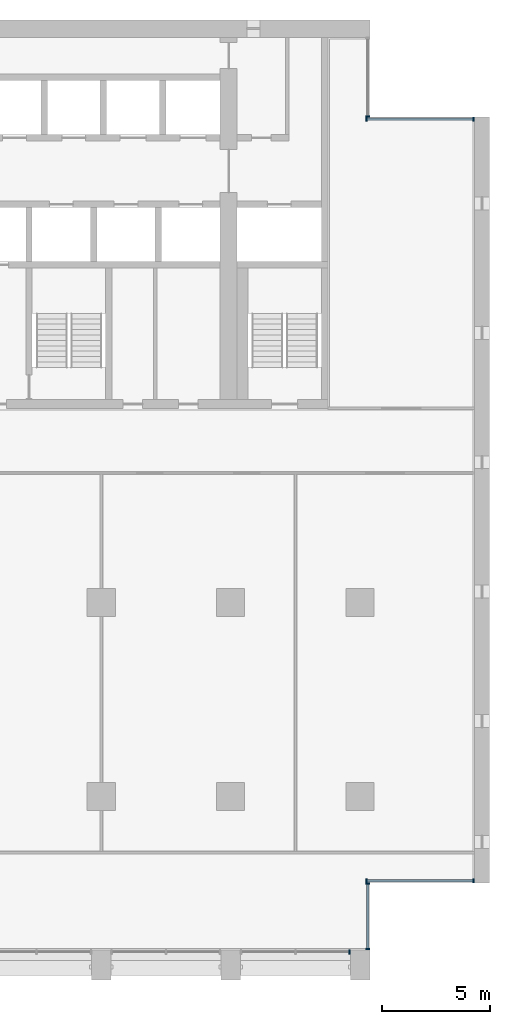
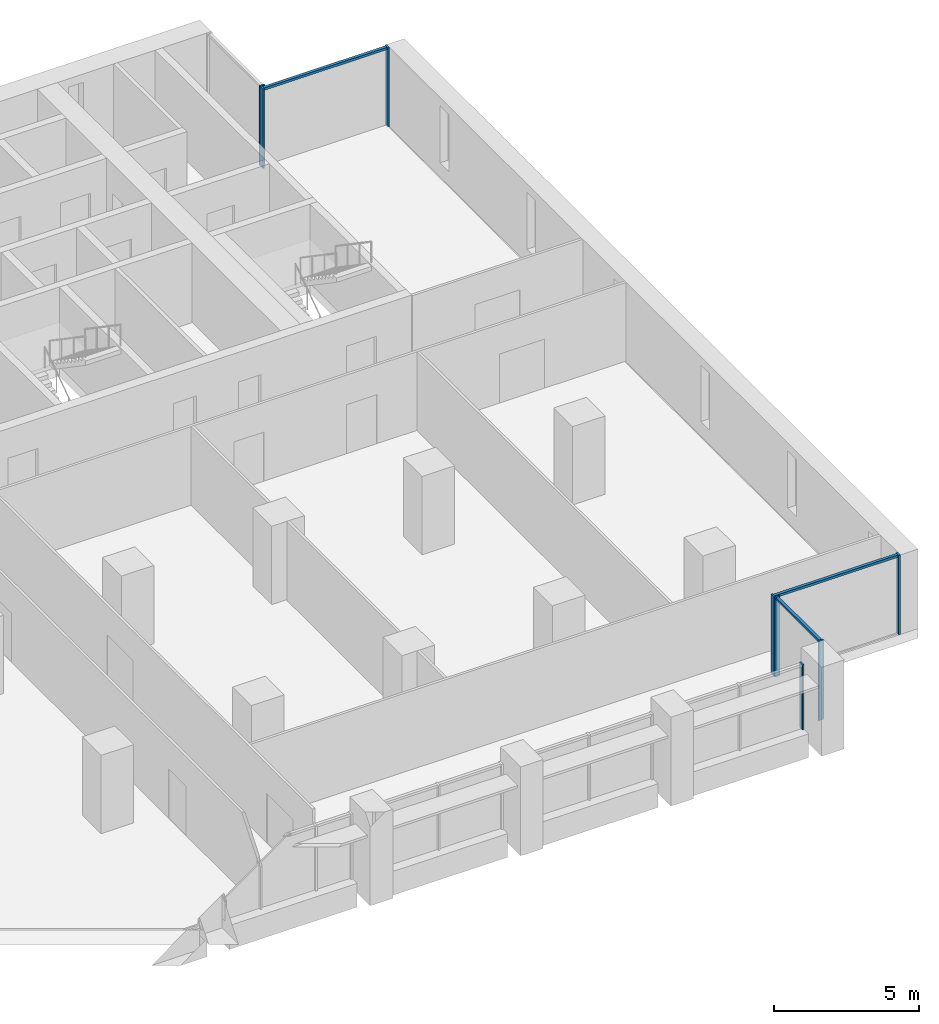
# One storey, part 5 of 15: 11 members, 5 elements without a shape of their own.
"""IFC4 building model written with IfcOpenShell, lengths in metres."""

import ifcopenshell
import ifcopenshell.guid

model = None  # the IFC model being written
_history = None  # IfcOwnerHistory: only IFC2X3 demands one
_inside = {}  # id of a spatial element -> (the spatial element, [elements in it])
_under = {}  # id of a project, library or spatial element -> (it, [spatial elements below it])
_declared = {}  # id of a project -> (the project, [libraries it declares])
_typed = {}  # id of a type object -> (the type object, [elements of that type])
_made_of = {}  # id of a material, layer set ... -> (it, [elements and type objects made of it])


def new_model(schema):
    """Start an empty IFC model of exactly this schema.

    Asked for "IFC4X3", IfcOpenShell would pick the latest addendum, in which some entities
    have other attributes; the version numbers below select the first issue.
    IFC2X3 requires an IfcOwnerHistory on every rooted entity: one is made here for all.
    """
    global model, _history
    if schema == "IFC4X3":
        model = ifcopenshell.file(schema_version=(4, 3, 0, 0))
    else:
        model = ifcopenshell.file(schema=schema)
    _inside.clear()
    _under.clear()
    _declared.clear()
    _typed.clear()
    _made_of.clear()
    _history = None
    if model.schema == "IFC2X3":
        org = make("IfcOrganization", Name="unknown")
        user = make(
            "IfcPersonAndOrganization",
            ThePerson=make("IfcPerson", FamilyName="unknown"),
            TheOrganization=org,
        )
        app = make(
            "IfcApplication",
            ApplicationDeveloper=org,
            Version="unknown",
            ApplicationFullName="unknown",
            ApplicationIdentifier="unknown",
        )
        _history = make(
            "IfcOwnerHistory",
            OwningUser=user,
            OwningApplication=app,
            ChangeAction="ADDED",
            CreationDate=0,
        )
    return model


def make(cls, **values):
    """One entity of the class cls with the attributes given. An attribute that is None is left unset."""
    return model.create_entity(
        cls, **{name: value for name, value in values.items() if value is not None}
    )


def rooted(cls, **values):
    """An entity with a GlobalId (a new one), such as an element, a storey or a relation."""
    return make(cls, GlobalId=ifcopenshell.guid.new(), OwnerHistory=_history, **values)


def si_unit(unit_type, name, prefix=None):
    """IfcSIUnit, for example si_unit("LENGTHUNIT", "METRE", prefix="MILLI")."""
    return make("IfcSIUnit", UnitType=unit_type, Prefix=prefix, Name=name)


def assignment(units):
    """IfcUnitAssignment: the units of a project."""
    return None if units is None else make("IfcUnitAssignment", Units=units)


def point(xyz):
    """IfcCartesianPoint."""
    return None if xyz is None else make("IfcCartesianPoint", Coordinates=xyz)


def direction(xyz):
    """IfcDirection."""
    return None if xyz is None else make("IfcDirection", DirectionRatios=xyz)


def frame(location, z_axis=None, x_axis=None):
    """IfcAxis2Placement3D, a coordinate frame: its origin and axes. An axis left out is left unset."""
    return make(
        "IfcAxis2Placement3D",
        Location=point(location),
        Axis=direction(z_axis),
        RefDirection=direction(x_axis),
    )


def frame_2d(location, x_axis=None):
    """IfcAxis2Placement2D, a coordinate frame in the plane: its origin and x axis."""
    return make(
        "IfcAxis2Placement2D", Location=point(location), RefDirection=direction(x_axis)
    )


def origin():
    """The frame at (0, 0, 0) with its axes left unset."""
    return frame((0.0, 0.0, 0.0))


def origin_2d():
    """The frame at (0, 0) in the plane with its x axis left unset."""
    return frame_2d((0.0, 0.0))


def place(relative_to, where):
    """IfcLocalPlacement: puts the frame where relative to a parent placement (None: the world)."""
    return make(
        "IfcLocalPlacement", PlacementRelTo=relative_to, RelativePlacement=where
    )


def context(
    kind, dimensions, precision=None, world=None, true_north=None, identifier=None
):
    """IfcGeometricRepresentationContext, for example the 3D "Model" context."""
    return make(
        "IfcGeometricRepresentationContext",
        ContextIdentifier=identifier,
        ContextType=kind,
        CoordinateSpaceDimension=dimensions,
        Precision=precision,
        WorldCoordinateSystem=world,
        TrueNorth=true_north,
    )


def subcontext(parent, identifier, kind, view, scale=None):
    """IfcGeometricRepresentationSubContext, for example "Body" below "Model"."""
    return make(
        "IfcGeometricRepresentationSubContext",
        ContextIdentifier=identifier,
        ContextType=kind,
        ParentContext=parent,
        TargetScale=scale,
        TargetView=view,
    )


def project(units=None, contexts=None):
    """IfcProject with its units and contexts."""
    return rooted(
        "IfcProject",
        Name="project",
        RepresentationContexts=contexts,
        UnitsInContext=assignment(units),
    )


def spatial(cls, under=None, at=None, **own):
    """A site, building, storey or space (cls), placed at a placement, below another one or the project."""
    s = rooted(cls, ObjectPlacement=at, **own)
    if under is not None:
        _under.setdefault(under.id(), (under, []))[1].append(s)
    return s


def profile(cls, at=None, kind="AREA", **sizes):
    """A parametric profile (cls). Its sizes go by their IFC names, for example OverallWidth=200.0."""
    return make(cls, ProfileType=kind, Position=at, **sizes)


def rectangle(**sizes):
    """IfcRectangleProfileDef."""
    return profile("IfcRectangleProfileDef", **sizes)


def extrude(swept, where, along, depth):
    """IfcExtrudedAreaSolid: the profile swept, set in the frame where, extruded along a direction by depth."""
    return make(
        "IfcExtrudedAreaSolid",
        SweptArea=swept,
        Position=where,
        ExtrudedDirection=direction(along),
        Depth=depth,
    )


def shape(context_of_items, identifier, shape_type, items):
    """IfcShapeRepresentation: the items that make up one representation, for example the "Body"."""
    return make(
        "IfcShapeRepresentation",
        ContextOfItems=context_of_items,
        RepresentationIdentifier=identifier,
        RepresentationType=shape_type,
        Items=items,
    )


def material(Name=None, Category=None):
    """IfcMaterial."""
    return make("IfcMaterial", Name=Name, Category=Category)


def material_profile(
    of_material, cross_section, Name=None, Category=None, Priority=None
):
    """IfcMaterialProfile: a cross section and its material."""
    return make(
        "IfcMaterialProfile",
        Name=Name,
        Material=of_material,
        Profile=cross_section,
        Priority=Priority,
        Category=Category,
    )


def profile_set(profiles, Name=None, composite=None):
    """IfcMaterialProfileSet."""
    return make(
        "IfcMaterialProfileSet",
        Name=Name,
        MaterialProfiles=profiles,
        CompositeProfile=composite,
    )


def made_of(thing, what):
    """Note that an element or type object is made of a material, layer set ...; save() writes the relation."""
    if what is not None:
        _made_of.setdefault(what.id(), (what, []))[1].append(thing)
    return thing


def type_object(cls, material=None, **own):
    """A type object (cls), such as IfcWallType, which elements share."""
    return made_of(rooted(cls, **own), material)


def element(
    cls,
    number,
    at=None,
    inside=None,
    cuts=None,
    type_object=None,
    material=None,
    context=None,
    identifier="Body",
    shape_type=None,
    held_by="IfcProductDefinitionShape",
    body=None,
    shapes=None,
    **own,
):
    """One element of the class cls, such as IfcWall. Its Tag is "e" and its number.

    at: its placement. inside: the storey or other place that contains it. cuts: it is an
    opening in that element (IfcRelVoidsElement). A single representation is given by context,
    identifier, shape_type and body (its items); several are given by shapes. held_by: the class
    of the entity that holds the representations. save() writes the other relations.
    """
    e = rooted(cls, Tag="e%d" % number, ObjectPlacement=at, **own)
    if body is not None:
        shapes = [shape(context, identifier, shape_type, body)]
    if shapes is not None:
        e.Representation = make(held_by, Representations=shapes)
    if inside is not None:
        _inside.setdefault(inside.id(), (inside, []))[1].append(e)
    if cuts is not None:
        rooted(
            "IfcRelVoidsElement", RelatingBuildingElement=cuts, RelatedOpeningElement=e
        )
    if type_object is not None:
        _typed.setdefault(type_object.id(), (type_object, []))[1].append(e)
    return made_of(e, material)


def aggregate(whole, parts):
    """IfcRelAggregates: a whole, such as a stair, and the parts it consists of."""
    return rooted("IfcRelAggregates", RelatingObject=whole, RelatedObjects=parts)


def save(model, path):
    """Write the relations noted so far, then the file.

    IfcRelAggregates (storeys below a building ...), IfcRelContainedInSpatialStructure (elements
    in a storey), IfcRelDefinesByType, IfcRelAssociatesMaterial and IfcRelDeclares: one each for
    every whole, place, type object, material and project.
    """
    for whole, parts in _under.values():
        aggregate(whole, parts)
    for where, things in _inside.values():
        rooted(
            "IfcRelContainedInSpatialStructure",
            RelatedElements=things,
            RelatingStructure=where,
        )
    for kind, things in _typed.values():
        rooted("IfcRelDefinesByType", RelatedObjects=things, RelatingType=kind)
    for what, things in _made_of.values():
        rooted("IfcRelAssociatesMaterial", RelatedObjects=things, RelatingMaterial=what)
    for by, libraries in _declared.values():
        rooted("IfcRelDeclares", RelatingContext=by, RelatedDefinitions=libraries)
    model.write(path)


model = new_model("IFC4")

# Units and contexts
model_context = context("Model", 3, precision=1e-05, world=origin(), true_north=direction((0.0, 1.0)))
body_context = subcontext(model_context, "Body", "Model", "MODEL_VIEW")
ifc_project = project(units=[si_unit("LENGTHUNIT", "METRE"), si_unit("AREAUNIT", "SQUARE_METRE"), si_unit("VOLUMEUNIT", "CUBIC_METRE"), si_unit("PLANEANGLEUNIT", "RADIAN"), si_unit("MASSUNIT", "GRAM", prefix="KILO")], contexts=[model_context])

# Site, building, storey
site_placement = place(None, origin())
site = spatial("IfcSite", under=ifc_project, at=site_placement, CompositionType="ELEMENT")
building_placement = place(site_placement, origin())
building = spatial("IfcBuilding", under=site, at=building_placement, Name="Calvaro Tower", CompositionType="ELEMENT")
storey_placement = place(building_placement, frame((0.0, 0.0, 132.5)))
storey = spatial("IfcBuildingStorey", under=building, at=storey_placement, Name="L33", CompositionType="ELEMENT", Elevation=132.5)

# Curtain wall, member
ifc_material_1 = material(Name="Anodised aluminium", Category="aluminium")
curtain_wall_type = type_object("IfcCurtainWallType", Name="Office curtain wall, middle zone", PredefinedType="NOTDEFINED", material=ifc_material_1)
curtain_wall_1_placement = place(storey_placement, origin())
curtain_wall_1 = element("IfcCurtainWall", 1, at=curtain_wall_1_placement, inside=storey, type_object=curtain_wall_type, Name="CW2 south curtain wall", PredefinedType="NOTDEFINED")
ifc_material_2 = material(Name="Anodised aluminium", Category="aluminium")
ifc_material_profile_1 = material_profile(ifc_material_2, rectangle(XDim=0.199951171875, YDim=0.070068359375, at=origin_2d()), Name="Mullion S2 70 x 200")
ifc_profile_set_1 = profile_set([ifc_material_profile_1], Name="Anodised aluminium")
member_type_1 = type_object("IfcMemberType", Name="Mullion S2 70 x 200", PredefinedType="MULLION", material=ifc_profile_set_1)
member_1_placement = place(storey_placement, frame((65.514892578125, 2.800048828125, 0.0), z_axis=(0.0, 0.0, 1.0), x_axis=(0.0, 1.0, 0.0)))
member_1 = element("IfcMember", 2, at=member_1_placement, type_object=member_type_1, Name="CW2 mullion 3", PredefinedType="MULLION", context=body_context, shape_type="SweptSolid", body=[
    extrude(rectangle(XDim=0.199951171875, YDim=0.070068359375, at=origin_2d()), origin(), (0.0, 0.0, 1.0), 2.75),
])
aggregate(curtain_wall_1, [member_1])

# Curtain wall, members
curtain_wall_2_placement = place(storey_placement, origin())
curtain_wall_2 = element("IfcCurtainWall", 3, at=curtain_wall_2_placement, inside=storey, type_object=curtain_wall_type, Name="CW2 corner curtain wall", PredefinedType="NOTDEFINED")
member_2_placement = place(storey_placement, frame((66.35009765625, 2.93505859375, 0.0), z_axis=(0.0, 0.0, 1.0), x_axis=(-1.0, 0.0, 0.0)))
member_2 = element("IfcMember", 4, at=member_2_placement, type_object=member_type_1, Name="CW2 mullion 1", PredefinedType="MULLION", context=body_context, shape_type="SweptSolid", body=[
    extrude(rectangle(XDim=0.199951171875, YDim=0.070068359375, at=origin_2d()), origin(), (0.0, 0.0, 1.0), 3.35009765625),
])
member_3_placement = place(storey_placement, frame((66.35009765625, 5.965087890625, 0.0), z_axis=(0.0, 0.0, 1.0), x_axis=(-1.0, 0.0, 0.0)))
member_3 = element("IfcMember", 5, at=member_3_placement, type_object=member_type_1, Name="CW2 mullion 2", PredefinedType="MULLION", context=body_context, shape_type="SweptSolid", body=[
    extrude(rectangle(XDim=0.199951171875, YDim=0.070068359375, at=origin_2d()), origin(), (0.0, 0.0, 1.0), 3.35009765625),
])

curtain_wall_3_placement = place(storey_placement, origin())
curtain_wall_3 = element("IfcCurtainWall", 6, at=curtain_wall_3_placement, inside=storey, type_object=curtain_wall_type, Name="CW2 corner curtain wall", PredefinedType="NOTDEFINED")
member_4_placement = place(storey_placement, frame((66.284912109375, 6.10009765625, 0.0), z_axis=(0.0, 0.0, 1.0), x_axis=(0.0, 1.0, 0.0)))
member_4 = element("IfcMember", 7, at=member_4_placement, type_object=member_type_1, Name="CW2 mullion 1", PredefinedType="MULLION", context=body_context, shape_type="SweptSolid", body=[
    extrude(rectangle(XDim=0.199951171875, YDim=0.070068359375, at=origin_2d()), origin(), (0.0, 0.0, 1.0), 3.35009765625),
])
member_5_placement = place(storey_placement, frame((71.264892578125, 6.10009765625, 0.0), z_axis=(0.0, 0.0, 1.0), x_axis=(0.0, 1.0, 0.0)))
member_5 = element("IfcMember", 8, at=member_5_placement, type_object=member_type_1, Name="CW2 mullion 2", PredefinedType="MULLION", context=body_context, shape_type="SweptSolid", body=[
    extrude(rectangle(XDim=0.199951171875, YDim=0.070068359375, at=origin_2d()), origin(), (0.0, 0.0, 1.0), 3.35009765625),
])

# Curtain wall, member
curtain_wall_4_placement = place(storey_placement, origin())
curtain_wall_4 = element("IfcCurtainWall", 9, at=curtain_wall_4_placement, inside=storey, type_object=curtain_wall_type, Name="CW2 corner curtain wall", PredefinedType="NOTDEFINED")
member_6_placement = place(storey_placement, frame((66.35009765625, 41.534912109375, 0.0), z_axis=(0.0, 0.0, 1.0), x_axis=(-1.0, 0.0, 0.0)))
member_6 = element("IfcMember", 10, at=member_6_placement, type_object=member_type_1, Name="CW2 mullion 1", PredefinedType="MULLION", context=body_context, shape_type="SweptSolid", body=[
    extrude(rectangle(XDim=0.199951171875, YDim=0.070068359375, at=origin_2d()), origin(), (0.0, 0.0, 1.0), 3.35009765625),
])
aggregate(curtain_wall_4, [member_6])

# Curtain wall, members
curtain_wall_5_placement = place(storey_placement, origin())
curtain_wall_5 = element("IfcCurtainWall", 11, at=curtain_wall_5_placement, inside=storey, type_object=curtain_wall_type, Name="CW2 corner curtain wall", PredefinedType="NOTDEFINED")
member_7_placement = place(storey_placement, frame((66.284912109375, 41.39990234375, 0.0), z_axis=(0.0, 0.0, 1.0), x_axis=(0.0, 1.0, 0.0)))
member_7 = element("IfcMember", 12, at=member_7_placement, type_object=member_type_1, Name="CW2 mullion 1", PredefinedType="MULLION", context=body_context, shape_type="SweptSolid", body=[
    extrude(rectangle(XDim=0.199951171875, YDim=0.070068359375, at=origin_2d()), origin(), (0.0, 0.0, 1.0), 3.35009765625),
])
member_8_placement = place(storey_placement, frame((71.264892578125, 41.39990234375, 0.0), z_axis=(0.0, 0.0, 1.0), x_axis=(0.0, 1.0, 0.0)))
member_8 = element("IfcMember", 13, at=member_8_placement, type_object=member_type_1, Name="CW2 mullion 2", PredefinedType="MULLION", context=body_context, shape_type="SweptSolid", body=[
    extrude(rectangle(XDim=0.199951171875, YDim=0.070068359375, at=origin_2d()), origin(), (0.0, 0.0, 1.0), 3.35009765625),
])

# Member
ifc_material_3 = material(Name="Anodised aluminium", Category="aluminium")
ifc_material_profile_2 = material_profile(ifc_material_3, rectangle(XDim=0.1201171875, YDim=0.10009765625, at=origin_2d()), Name="Transom S2 100 x 120")
ifc_profile_set_2 = profile_set([ifc_material_profile_2], Name="Anodised aluminium")
member_type_2 = type_object("IfcMemberType", Name="Transom S2 100 x 120", PredefinedType="USERDEFINED", material=ifc_profile_set_2)
member_9_placement = place(storey_placement, frame((66.35009765625, 2.969970703125, 3.300048828125), z_axis=(0.0, 1.0, 0.0), x_axis=(-1.0, 0.0, 0.0)))
member_9 = element("IfcMember", 14, at=member_9_placement, type_object=member_type_2, Name="CW2 transom 1.1", ObjectType="TRANSOM", PredefinedType="USERDEFINED", context=body_context, shape_type="SweptSolid", body=[
    extrude(rectangle(XDim=0.1201171875, YDim=0.10009765625, at=origin_2d()), origin(), (0.0, 0.0, 1.0), 2.9599609375),
])

aggregate(curtain_wall_2, [member_2, member_3, member_9])

member_10_placement = place(storey_placement, frame((66.320068359375, 6.10009765625, 3.300048828125), z_axis=(1.0, 0.0, 0.0), x_axis=(0.0, 1.0, 0.0)))
member_10 = element("IfcMember", 15, at=member_10_placement, type_object=member_type_2, Name="CW2 transom 1.1", ObjectType="TRANSOM", PredefinedType="USERDEFINED", context=body_context, shape_type="SweptSolid", body=[
    extrude(rectangle(XDim=0.1201171875, YDim=0.10009765625, at=origin_2d()), origin(), (0.0, 0.0, 1.0), 4.909912109375),
])

aggregate(curtain_wall_3, [member_4, member_5, member_10])

member_11_placement = place(storey_placement, frame((66.320068359375, 41.39990234375, 3.300048828125), z_axis=(1.0, 0.0, 0.0), x_axis=(0.0, 1.0, 0.0)))
member_11 = element("IfcMember", 16, at=member_11_placement, type_object=member_type_2, Name="CW2 transom 1.1", ObjectType="TRANSOM", PredefinedType="USERDEFINED", context=body_context, shape_type="SweptSolid", body=[
    extrude(rectangle(XDim=0.1201171875, YDim=0.10009765625, at=origin_2d()), origin(), (0.0, 0.0, 1.0), 4.909912109375),
])

aggregate(curtain_wall_5, [member_7, member_8, member_11])

save(model, "model.ifc")
